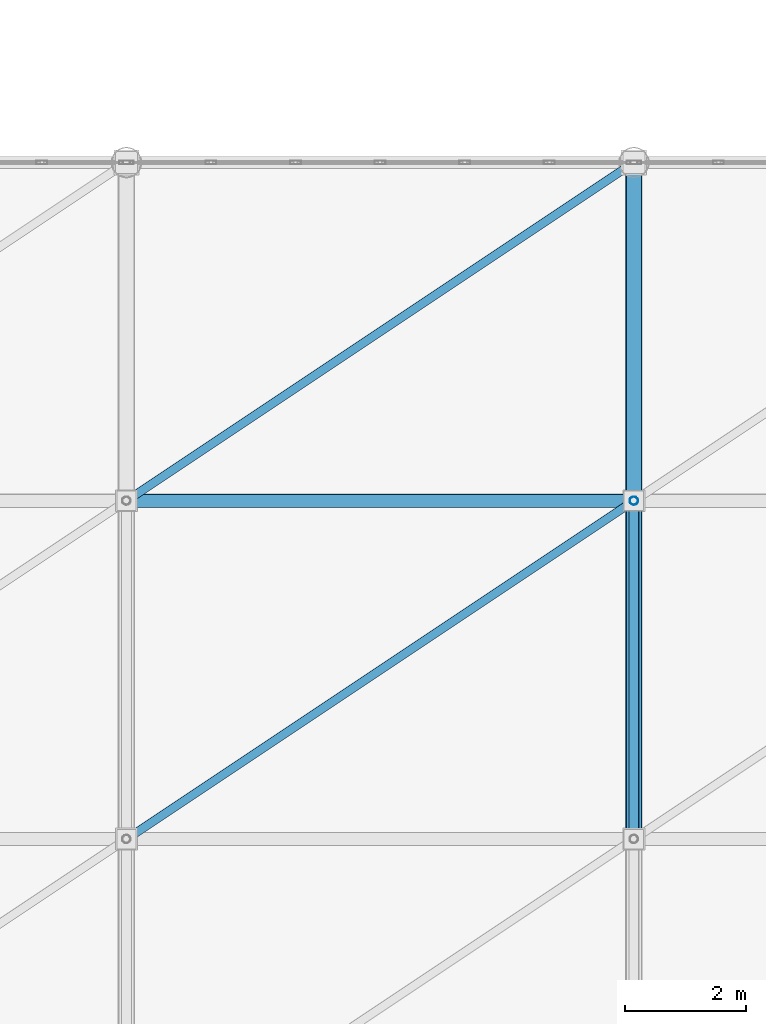
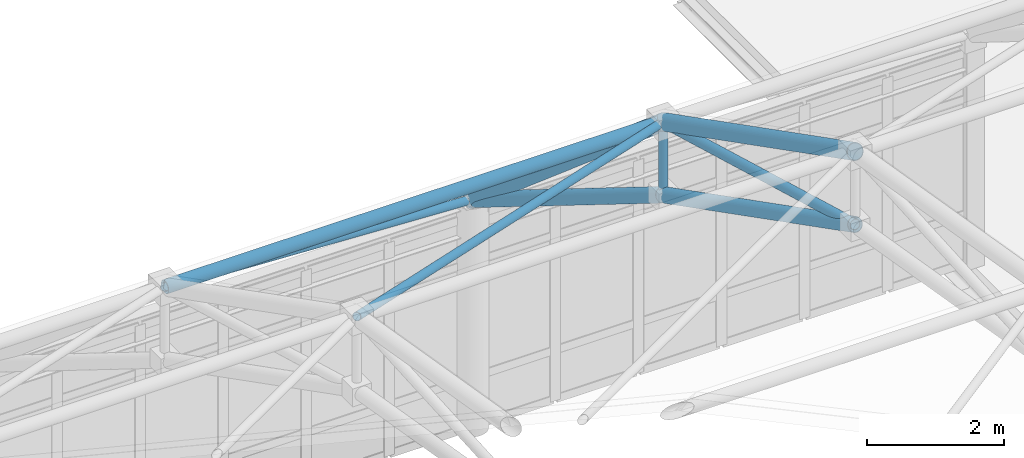
# One storey, part 91 of 184: 9 members.
"""IFC4 building model written with IfcOpenShell, lengths in metres."""

from ifc_helpers import new_model, si_unit, direction, frame, origin, origin_2d, place, context, subcontext, project, spatial, hollow_circle, extrude, material, material_profile, profile_set, type_object, element, save


model = new_model("IFC4")

# Units and contexts
model_context = context("Model", 3, precision=1e-05, world=origin(), true_north=direction((0.0, 1.0)))
body_context = subcontext(model_context, "Body", "Model", "MODEL_VIEW")
ifc_project = project(units=[si_unit("LENGTHUNIT", "METRE"), si_unit("AREAUNIT", "SQUARE_METRE"), si_unit("VOLUMEUNIT", "CUBIC_METRE"), si_unit("PLANEANGLEUNIT", "RADIAN"), si_unit("MASSUNIT", "GRAM", prefix="KILO")], contexts=[model_context])

# Site, building, storey
site_placement = place(None, origin())
site = spatial("IfcSite", under=ifc_project, at=site_placement, CompositionType="ELEMENT")
building_placement = place(site_placement, origin())
building = spatial("IfcBuilding", under=site, at=building_placement, Name="Qalvenar Corner Mobility Hub", CompositionType="ELEMENT")
storey_placement = place(building_placement, frame((0.0, 0.0, 9.0)))
storey = spatial("IfcBuildingStorey", under=building, at=storey_placement, Name="L02", CompositionType="ELEMENT", Elevation=9.0)

# Members
ifc_material = material(Name="Steel S355", Category="steel")
ifc_material_profile_1 = material_profile(ifc_material, hollow_circle(Radius=0.109619140625, WallThickness=0.008056640625, at=origin_2d()), Name="CHS219.1x8")
ifc_profile_set_1 = profile_set([ifc_material_profile_1], Name="Steel S355")
member_type_1 = type_object("IfcMemberType", Name="SF-CHD219", PredefinedType="CHORD", material=ifc_profile_set_1)
member_1_placement = place(storey_placement, frame((92.39990234375, 28.0, 8.837890625), z_axis=(1.0, 0.0, 0.0), x_axis=(0.0, 1.0, 0.0)))
element("IfcMember", 1, at=member_1_placement, inside=storey, type_object=member_type_1, Name="Space Frame Longitudinal Chord SFL-0228", PredefinedType="CHORD", context=body_context, shape_type="SweptSolid", body=[
    extrude(hollow_circle(Radius=0.109619140625, WallThickness=0.008056640625, at=origin_2d()), origin(), (0.0, 0.0, 1.0), 8.400146484375),
])
ifc_material_profile_2 = material_profile(ifc_material, hollow_circle(Radius=0.122314453125, WallThickness=0.0087890625, at=origin_2d()), Name="CHS244.5x8.8")
ifc_profile_set_2 = profile_set([ifc_material_profile_2], Name="Steel S355")
member_type_2 = type_object("IfcMemberType", Name="SF-CHD244", PredefinedType="CHORD", material=ifc_profile_set_2)
member_2_placement = place(storey_placement, frame((100.800048828125, 22.39990234375, 10.404296875), z_axis=(0.0, 0.890165077293, -0.455638162547), x_axis=(-1.0, 0.0, 0.0)))
element("IfcMember", 2, at=member_2_placement, inside=storey, type_object=member_type_2, Name="Space Frame Bottom Chord SFBC-0139", PredefinedType="CHORD", context=body_context, shape_type="SweptSolid", body=[
    extrude(hollow_circle(Radius=0.122314453125, WallThickness=0.0087890625, at=origin_2d()), origin(), (0.0, 0.0, 1.0), 6.291015625),
])
member_3_placement = place(storey_placement, frame((100.800048828125, 28.0, 7.537841796875), z_axis=(0.0, 0.849513681623, -0.527566587964), x_axis=(-1.0, 0.0, 0.0)))
element("IfcMember", 3, at=member_3_placement, inside=storey, type_object=member_type_2, Name="Space Frame Bottom Chord SFBC-0142", PredefinedType="CHORD", context=body_context, shape_type="SweptSolid", body=[
    extrude(hollow_circle(Radius=0.122314453125, WallThickness=0.0087890625, at=origin_2d()), origin(), (0.0, 0.0, 1.0), 6.592041015625),
])
ifc_material_profile_3 = material_profile(ifc_material, hollow_circle(Radius=0.136474609375, WallThickness=0.010009765625, at=origin_2d()), Name="CHS273x10")
ifc_profile_set_3 = profile_set([ifc_material_profile_3], Name="Steel S355")
member_type_3 = type_object("IfcMemberType", Name="SF-CHD273", PredefinedType="CHORD", material=ifc_profile_set_3)
member_4_placement = place(storey_placement, frame((100.800048828125, 22.39990234375, 11.704345703125), z_axis=(0.0, 0.890165077293, -0.455638162547), x_axis=(-1.0, 0.0, 0.0)))
element("IfcMember", 4, at=member_4_placement, inside=storey, type_object=member_type_3, Name="Space Frame Top Chord SFTC-0138", PredefinedType="CHORD", context=body_context, shape_type="SweptSolid", body=[
    extrude(hollow_circle(Radius=0.136474609375, WallThickness=0.010009765625, at=origin_2d()), origin(), (0.0, 0.0, 1.0), 6.291015625),
])
member_5_placement = place(storey_placement, frame((100.800048828125, 28.0, 8.837890625), z_axis=(0.0, 0.760748216799, -0.64904710972), x_axis=(-1.0, 0.0, 0.0)))
element("IfcMember", 5, at=member_5_placement, inside=storey, type_object=member_type_3, Name="Space Frame Top Chord SFTC-0141", PredefinedType="CHORD", context=body_context, shape_type="SweptSolid", body=[
    extrude(hollow_circle(Radius=0.136474609375, WallThickness=0.010009765625, at=origin_2d()), origin(), (0.0, 0.0, 1.0), 7.361328125),
])
ifc_material_profile_4 = material_profile(ifc_material, hollow_circle(Radius=0.06982421875, WallThickness=0.0048828125, at=origin_2d()), Name="CHS139.7x5")
ifc_profile_set_4 = profile_set([ifc_material_profile_4], Name="Steel S355")
member_type_4 = type_object("IfcMemberType", Name="SF-STR139", PredefinedType="STRUT", material=ifc_profile_set_4)
member_6_placement = place(storey_placement, frame((100.800048828125, 28.0, 7.537841796875), z_axis=(0.0, 0.0, 1.0), x_axis=(1.0, 0.0, 0.0)))
element("IfcMember", 6, at=member_6_placement, inside=storey, type_object=member_type_4, Name="Space Frame King Strut SFV-0147", PredefinedType="STRUT", context=body_context, shape_type="SweptSolid", body=[
    extrude(hollow_circle(Radius=0.06982421875, WallThickness=0.0048828125, at=origin_2d()), origin(), (0.0, 0.0, 1.0), 1.300048828125),
])
member_7_placement = place(storey_placement, frame((92.39990234375, 22.39990234375, 11.704345703125), z_axis=(0.800412915743, 0.533608610495, -0.273131863973), x_axis=(-0.554700196225, 0.832050294338, 0.0)))
element("IfcMember", 7, at=member_7_placement, inside=storey, type_object=member_type_4, Name="Space Frame Plan Strut SFP-0233", PredefinedType="STRUT", context=body_context, shape_type="SweptSolid", body=[
    extrude(hollow_circle(Radius=0.06982421875, WallThickness=0.0048828125, at=origin_2d()), origin(), (0.0, 0.0, 1.0), 10.494873046875),
])
member_8_placement = place(storey_placement, frame((92.39990234375, 28.0, 8.837890625), z_axis=(0.752080684615, 0.501387123077, -0.427768157582), x_axis=(-0.554700196225, 0.832050294338, 0.0)))
element("IfcMember", 8, at=member_8_placement, inside=storey, type_object=member_type_4, Name="Space Frame Plan Strut SFP-0234", PredefinedType="STRUT", context=body_context, shape_type="SweptSolid", body=[
    extrude(hollow_circle(Radius=0.06982421875, WallThickness=0.0048828125, at=origin_2d()), origin(), (0.0, 0.0, 1.0), 11.169189453125),
])
ifc_material_profile_5 = material_profile(ifc_material, hollow_circle(Radius=0.084228515625, WallThickness=0.00634765625, at=origin_2d()), Name="CHS168.3x6.3")
ifc_profile_set_5 = profile_set([ifc_material_profile_5], Name="Steel S355")
member_type_5 = type_object("IfcMemberType", Name="SF-STR168", PredefinedType="STRUT", material=ifc_profile_set_5)
member_9_placement = place(storey_placement, frame((100.800048828125, 22.39990234375, 10.404296875), z_axis=(0.0, 0.963036367481, -0.269371407), x_axis=(-1.0, 0.0, 0.0)))
element("IfcMember", 9, at=member_9_placement, inside=storey, type_object=member_type_5, Name="Space Frame Web Strut SFD-0140", PredefinedType="STRUT", context=body_context, shape_type="SweptSolid", body=[
    extrude(hollow_circle(Radius=0.084228515625, WallThickness=0.00634765625, at=origin_2d()), origin(), (0.0, 0.0, 1.0), 5.81494140625),
])

save(model, "model.ifc")
